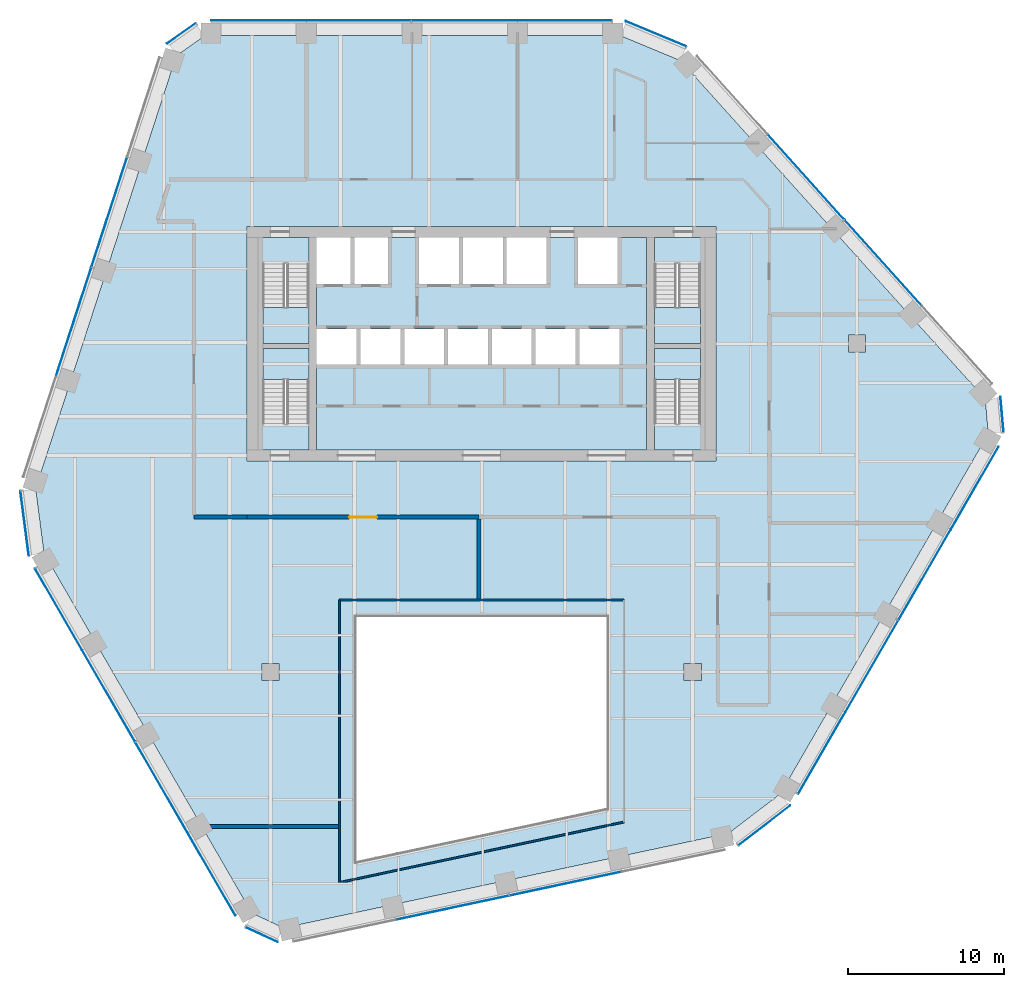
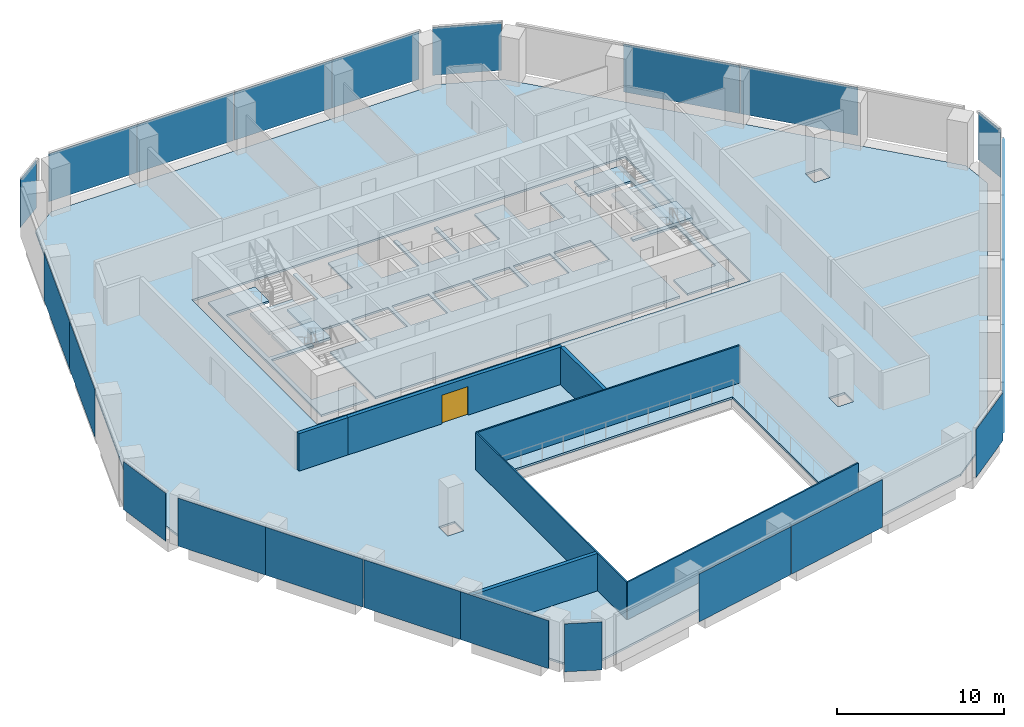
# One storey, part 10 of 16: 24 plates, 8 slabs, 7 walls, 1 door, 1 opening, 16 elements without a shape of their own.
"""IFC4 building model written with IfcOpenShell, lengths in metres."""

from ifc_helpers import new_model, si_unit, direction, frame, frame_2d, origin, origin_2d, place, context, subcontext, project, spatial, polyline, rectangle, outline, extrude, material, layer, layer_set, type_object, element, fill, aggregate, save


model = new_model("IFC4")

# Units and contexts
model_context = context("Model", 3, precision=1e-05, world=origin(), true_north=direction((0.0, 1.0)))
body_context = subcontext(model_context, "Body", "Model", "MODEL_VIEW")
ifc_project = project(units=[si_unit("LENGTHUNIT", "METRE"), si_unit("AREAUNIT", "SQUARE_METRE"), si_unit("VOLUMEUNIT", "CUBIC_METRE"), si_unit("PLANEANGLEUNIT", "RADIAN"), si_unit("MASSUNIT", "GRAM", prefix="KILO")], contexts=[model_context])

# Site, building, storey
site_placement = place(None, origin())
site = spatial("IfcSite", under=ifc_project, at=site_placement, CompositionType="ELEMENT")
building_placement = place(site_placement, origin())
building = spatial("IfcBuilding", under=site, at=building_placement, Name="Isthmus Gate Tower", CompositionType="ELEMENT")
storey_placement = place(building_placement, frame((0.0, 0.0, 196.35009765625)))
storey = spatial("IfcBuildingStorey", under=building, at=storey_placement, Name="L49", CompositionType="ELEMENT", Elevation=196.35009765625)

# Slabs
ifc_material_1 = material(Name="Concrete f'c 40 MPa", Category="concrete")
ifc_layer_1 = layer(ifc_material_1, 0.14990234375)
ifc_layer_set_1 = layer_set([ifc_layer_1], Name="COMPOSITE FLOOR SLAB 150")
slab_type_1 = type_object("IfcSlabType", Name="COMPOSITE FLOOR SLAB 150", PredefinedType="FLOOR", material=ifc_layer_set_1)
slab_1_placement = place(storey_placement, frame((0.0, 0.0, -0.150146484375)))
element("IfcSlab", 1, at=slab_1_placement, inside=storey, type_object=slab_type_1, Name="str-slab-L49-1", PredefinedType="FLOOR", context=body_context, shape_type="SweptSolid", body=[
    extrude(outline(polyline([(12.72802734375, 25.599365234375), (32.21044921875, 3.9619140625), (32.410400390625, 1.736083984375), (19.116455078125, -21.289306640625), (15.8056640625, -23.822509765625), (-12.674072265625, -29.876220703125), (-14.701416015625, -28.936279296875), (-27.995361328125, -5.91064453125), (-28.53369140625, -1.77685546875), (-19.536376953125, 25.9140625), (-17.708740234375, 27.199951171875), (8.87890625, 27.199951171875), (12.72802734375, 25.599365234375)]), holes=[polyline([(-8.0, -10.0), (-8.0, -25.611083984375), (8.0, -22.210205078125), (8.0, -10.0), (-8.0, -10.0)]), polyline([(-14.050048828125, -12.949951171875), (-14.050048828125, -14.050048828125), (-12.949951171875, -14.050048828125), (-12.949951171875, -12.949951171875), (-14.050048828125, -12.949951171875)]), polyline([(14.050048828125, -12.949951171875), (12.949951171875, -12.949951171875), (12.949951171875, -14.050048828125), (14.050048828125, -14.050048828125), (14.050048828125, -12.949951171875)]), polyline([(-15.0, 15.0), (-15.0, 0.0), (15.0, 0.0), (15.0, 15.0), (-15.0, 15.0)]), polyline([(24.550048828125, 6.949951171875), (24.550048828125, 8.050048828125), (23.449951171875, 8.050048828125), (23.449951171875, 6.949951171875), (24.550048828125, 6.949951171875)])]), origin(), (0.0, 0.0, 1.0), 0.150146484375),
])
ifc_material_2 = material(Name="Concrete f'c 40 MPa", Category="concrete")
ifc_layer_2 = layer(ifc_material_2, 0.14990234375)
ifc_layer_set_2 = layer_set([ifc_layer_2], Name="CORE FLOOR SLAB 150")
slab_type_2 = type_object("IfcSlabType", Name="CORE FLOOR SLAB 150", PredefinedType="FLOOR", material=ifc_layer_set_2)
slab_2_placement = place(storey_placement, frame((0.0, 0.0, -0.150146484375)))
element("IfcSlab", 2, at=slab_2_placement, inside=storey, type_object=slab_type_2, Name="L49 core floor", PredefinedType="FLOOR", context=body_context, shape_type="SweptSolid", body=[
    extrude(outline(polyline([(-11.050048828125, 0.699951171875), (-11.050048828125, 2.402099609375), (-14.0, 2.402099609375), (-14.0, 7.199951171875), (-11.050048828125, 7.199951171875), (-11.050048828125, 7.5), (-14.0, 7.5), (-14.0, 12.597900390625), (-11.050048828125, 12.597900390625), (-11.050048828125, 14.300048828125), (-14.300048828125, 14.300048828125), (-14.300048828125, 0.699951171875), (-11.050048828125, 0.699951171875)])), origin(), (0.0, 0.0, 1.0), 0.150146484375),
])
slab_3_placement = place(storey_placement, frame((0.0, 0.0, -0.150146484375)))
element("IfcSlab", 3, at=slab_3_placement, inside=storey, type_object=slab_type_2, Name="L49 core floor", PredefinedType="FLOOR", context=body_context, shape_type="SweptSolid", body=[
    extrude(outline(polyline([(10.550048828125, 14.300048828125), (8.699951171875, 14.300048828125), (8.699951171875, 11.300048828125), (6.14990234375, 11.300048828125), (6.14990234375, 14.300048828125), (4.14990234375, 14.300048828125), (4.14990234375, 11.300048828125), (1.60009765625, 11.300048828125), (1.60009765625, 14.300048828125), (1.35009765625, 14.300048828125), (1.35009765625, 11.300048828125), (-1.199951171875, 11.300048828125), (-1.199951171875, 14.300048828125), (-1.449951171875, 14.300048828125), (-1.449951171875, 11.300048828125), (-4.0, 11.300048828125), (-4.0, 14.300048828125), (-6.0, 14.300048828125), (-6.0, 11.300048828125), (-8.14990234375, 11.300048828125), (-8.14990234375, 14.300048828125), (-8.39990234375, 14.300048828125), (-8.39990234375, 11.300048828125), (-10.550048828125, 11.300048828125), (-10.550048828125, 8.449951171875), (-8.0, 8.449951171875), (-8.0, 6.14990234375), (-10.550048828125, 6.14990234375), (-10.550048828125, 0.699951171875), (10.550048828125, 0.699951171875), (10.550048828125, 14.300048828125)]), holes=[polyline([(-5.199951171875, 8.449951171875), (-5.199951171875, 6.14990234375), (-7.75, 6.14990234375), (-7.75, 8.449951171875), (-5.199951171875, 8.449951171875)]), polyline([(-2.39990234375, 8.449951171875), (-2.39990234375, 6.14990234375), (-4.949951171875, 6.14990234375), (-4.949951171875, 8.449951171875), (-2.39990234375, 8.449951171875)]), polyline([(0.39990234375, 8.449951171875), (0.39990234375, 6.14990234375), (-2.14990234375, 6.14990234375), (-2.14990234375, 8.449951171875), (0.39990234375, 8.449951171875)]), polyline([(3.199951171875, 8.449951171875), (3.199951171875, 6.14990234375), (0.64990234375, 6.14990234375), (0.64990234375, 8.449951171875), (3.199951171875, 8.449951171875)]), polyline([(6.0, 8.449951171875), (6.0, 6.14990234375), (3.449951171875, 6.14990234375), (3.449951171875, 8.449951171875), (6.0, 8.449951171875)]), polyline([(8.800048828125, 8.449951171875), (8.800048828125, 6.14990234375), (6.25, 6.14990234375), (6.25, 8.449951171875), (8.800048828125, 8.449951171875)])]), origin(), (0.0, 0.0, 1.0), 0.150146484375),
])
slab_4_placement = place(storey_placement, frame((0.0, 0.0, -0.150146484375)))
element("IfcSlab", 4, at=slab_4_placement, inside=storey, type_object=slab_type_2, Name="L49 core floor", PredefinedType="FLOOR", context=body_context, shape_type="SweptSolid", body=[
    extrude(outline(polyline([(11.050048828125, 14.300048828125), (11.050048828125, 12.597900390625), (14.0, 12.597900390625), (14.0, 7.5), (11.050048828125, 7.5), (11.050048828125, 7.199951171875), (14.0, 7.199951171875), (14.0, 2.402099609375), (11.050048828125, 2.402099609375), (11.050048828125, 0.699951171875), (14.300048828125, 0.699951171875), (14.300048828125, 14.300048828125), (11.050048828125, 14.300048828125)])), origin(), (0.0, 0.0, 1.0), 0.150146484375),
])

# Curtain wall, plates
ifc_material_3 = material(Name="Aluminium, pale champagne anodised", Category="aluminium")
ifc_layer_3 = layer(ifc_material_3, 0.199951171875)
ifc_layer_set_3 = layer_set([ifc_layer_3], Name="CW-1 UNITISED CURTAIN WALL 200 DEEP")
curtain_wall_type = type_object("IfcCurtainWallType", Name="CW-1 UNITISED CURTAIN WALL 200 DEEP", PredefinedType="NOTDEFINED", material=ifc_layer_set_3)
curtain_wall_1_placement = place(storey_placement, origin())
curtain_wall_1 = element("IfcCurtainWall", 5, at=curtain_wall_1_placement, inside=storey, type_object=curtain_wall_type, Name="CW-1 N L49", PredefinedType="NOTDEFINED")
ifc_material_4 = material(Name="Laminated low-iron glass, pale blue tint", Category="glass")
ifc_layer_4 = layer(ifc_material_4, 0.035888671875)
ifc_layer_set_4 = layer_set([ifc_layer_4], Name="CW-1 CLEAR GLASS LITE 36")
plate_type = type_object("IfcPlateType", Name="CW-1 CLEAR GLASS LITE 36", PredefinedType="CURTAIN_PANEL", material=ifc_layer_set_4)
plate_1_placement = place(storey_placement, frame((5.30859375, 28.181884765625, 0.0), z_axis=(0.0, 0.0, 1.0), x_axis=(-1.0, 0.0, 0.0)))
plate_1 = element("IfcPlate", 6, at=plate_1_placement, type_object=plate_type, Name="CW-1 glass lite", PredefinedType="CURTAIN_PANEL", context=body_context, shape_type="SweptSolid", body=[
    extrude(rectangle(XDim=6.0400390625, YDim=0.035888671875, at=origin_2d()), origin(), (0.0, 0.0, 1.0), 3.510009765625),
])
plate_2_placement = place(storey_placement, frame((-1.086669921875, 28.181884765625, 0.0), z_axis=(0.0, 0.0, 1.0), x_axis=(-1.0, 0.0, 0.0)))
plate_2 = element("IfcPlate", 7, at=plate_2_placement, type_object=plate_type, Name="CW-1 glass lite", PredefinedType="CURTAIN_PANEL", context=body_context, shape_type="SweptSolid", body=[
    extrude(rectangle(XDim=6.750244140625, YDim=0.035888671875, at=origin_2d()), origin(), (0.0, 0.0, 1.0), 3.510009765625),
])
plate_3_placement = place(storey_placement, frame((-7.86669921875, 28.181884765625, 0.0), z_axis=(0.0, 0.0, 1.0), x_axis=(-1.0, 0.0, 0.0)))
plate_3 = element("IfcPlate", 8, at=plate_3_placement, type_object=plate_type, Name="CW-1 glass lite", PredefinedType="CURTAIN_PANEL", context=body_context, shape_type="SweptSolid", body=[
    extrude(rectangle(XDim=6.690185546875, YDim=0.035888671875, at=origin_2d()), origin(), (0.0, 0.0, 1.0), 3.510009765625),
])
plate_4_placement = place(storey_placement, frame((-14.261962890625, 28.181884765625, 0.0), z_axis=(0.0, 0.0, 1.0), x_axis=(-1.0, 0.0, 0.0)))
plate_4 = element("IfcPlate", 9, at=plate_4_placement, type_object=plate_type, Name="CW-1 glass lite", PredefinedType="CURTAIN_PANEL", context=body_context, shape_type="SweptSolid", body=[
    extrude(rectangle(XDim=6.10009765625, YDim=0.035888671875, at=origin_2d()), origin(), (0.0, 0.0, 1.0), 3.510009765625),
])
aggregate(curtain_wall_1, [plate_1, plate_2, plate_3, plate_4])

# Curtain wall, plate
curtain_wall_2_placement = place(storey_placement, origin())
curtain_wall_2 = element("IfcCurtainWall", 10, at=curtain_wall_2_placement, inside=storey, type_object=curtain_wall_type, Name="CW-1 N-NW L49", PredefinedType="NOTDEFINED")
plate_5_placement = place(storey_placement, frame((-19.2119140625, 27.343017578125, 0.0), z_axis=(0.0, 0.0, 1.0), x_axis=(-0.81785959165, -0.57541783805, 0.0)))
plate_5 = element("IfcPlate", 11, at=plate_5_placement, type_object=plate_type, Name="CW-1 glass lite", PredefinedType="CURTAIN_PANEL", context=body_context, shape_type="SweptSolid", body=[
    extrude(rectangle(XDim=2.258544921875, YDim=0.035888671875, at=origin_2d()), origin(), (0.0, 0.0, 1.0), 3.510009765625),
])
aggregate(curtain_wall_2, [plate_5])

# Curtain wall, plates
curtain_wall_3_placement = place(storey_placement, origin())
curtain_wall_3 = element("IfcCurtainWall", 12, at=curtain_wall_3_placement, inside=storey, type_object=curtain_wall_type, Name="CW-1 NW L49", PredefinedType="NOTDEFINED")
plate_6_placement = place(storey_placement, frame((-23.813720703125, 15.927490234375, 0.0), z_axis=(0.0, 0.0, 1.0), x_axis=(-0.309016994375, -0.951056516295, 0.0)))
plate_6 = element("IfcPlate", 13, at=plate_6_placement, type_object=plate_type, Name="CW-1 glass lite", PredefinedType="CURTAIN_PANEL", context=body_context, shape_type="SweptSolid", body=[
    extrude(rectangle(XDim=7.390869140625, YDim=0.035888671875, at=origin_2d()), origin(), (0.0, 0.0, 1.0), 3.510009765625),
])
plate_7_placement = place(storey_placement, frame((-26.10693359375, 8.8701171875, 0.0), z_axis=(0.0, 0.0, 1.0), x_axis=(-0.309016994375, -0.951056516295, 0.0)))
plate_7 = element("IfcPlate", 14, at=plate_7_placement, type_object=plate_type, Name="CW-1 glass lite", PredefinedType="CURTAIN_PANEL", context=body_context, shape_type="SweptSolid", body=[
    extrude(rectangle(XDim=7.330810546875, YDim=0.035888671875, at=origin_2d()), origin(), (0.0, 0.0, 1.0), 3.510009765625),
])
aggregate(curtain_wall_3, [plate_6, plate_7])

# Curtain wall, plate
curtain_wall_4_placement = place(storey_placement, origin())
curtain_wall_4 = element("IfcCurtainWall", 15, at=curtain_wall_4_placement, inside=storey, type_object=curtain_wall_type, Name="CW-1 NW-SW L49", PredefinedType="NOTDEFINED")
plate_8_placement = place(storey_placement, frame((-29.234619140625, -3.9990234375, 0.0), z_axis=(0.0, 0.0, 1.0), x_axis=(0.129164534, -0.991623175988, 0.0)))
plate_8 = element("IfcPlate", 16, at=plate_8_placement, type_object=plate_type, Name="CW-1 glass lite", PredefinedType="CURTAIN_PANEL", context=body_context, shape_type="SweptSolid", body=[
    extrude(rectangle(XDim=4.181396484375, YDim=0.035888671875, at=origin_2d()), origin(), (0.0, 0.0, 1.0), 3.510009765625),
])
aggregate(curtain_wall_4, [plate_8])

# Curtain wall, plates
curtain_wall_5_placement = place(storey_placement, origin())
curtain_wall_5 = element("IfcCurtainWall", 17, at=curtain_wall_5_placement, inside=storey, type_object=curtain_wall_type, Name="CW-1 SW L49", PredefinedType="NOTDEFINED")
plate_9_placement = place(storey_placement, frame((-27.060546875, -9.49365234375, 0.0), z_axis=(0.0, 0.0, 1.0), x_axis=(0.5, -0.866025403784, 0.0)))
plate_9 = element("IfcPlate", 18, at=plate_9_placement, type_object=plate_type, Name="CW-1 glass lite", PredefinedType="CURTAIN_PANEL", context=body_context, shape_type="SweptSolid", body=[
    extrude(rectangle(XDim=6.0400390625, YDim=0.035888671875, at=origin_2d()), origin(), (0.0, 0.0, 1.0), 3.510009765625),
])
plate_10_placement = place(storey_placement, frame((-23.863037109375, -15.031982421875, 0.0), z_axis=(0.0, 0.0, 1.0), x_axis=(0.5, -0.866025403784, 0.0)))
plate_10 = element("IfcPlate", 19, at=plate_10_placement, type_object=plate_type, Name="CW-1 glass lite", PredefinedType="CURTAIN_PANEL", context=body_context, shape_type="SweptSolid", body=[
    extrude(rectangle(XDim=6.750244140625, YDim=0.035888671875, at=origin_2d()), origin(), (0.0, 0.0, 1.0), 3.510009765625),
])
plate_11_placement = place(storey_placement, frame((-20.472900390625, -20.90380859375, 0.0), z_axis=(0.0, 0.0, 1.0), x_axis=(0.5, -0.866025403784, 0.0)))
plate_11 = element("IfcPlate", 20, at=plate_11_placement, type_object=plate_type, Name="CW-1 glass lite", PredefinedType="CURTAIN_PANEL", context=body_context, shape_type="SweptSolid", body=[
    extrude(rectangle(XDim=6.690185546875, YDim=0.035888671875, at=origin_2d()), origin(), (0.0, 0.0, 1.0), 3.510009765625),
])
plate_12_placement = place(storey_placement, frame((-17.275390625, -26.442138671875, 0.0), z_axis=(0.0, 0.0, 1.0), x_axis=(0.5, -0.866025403784, 0.0)))
plate_12 = element("IfcPlate", 21, at=plate_12_placement, type_object=plate_type, Name="CW-1 glass lite", PredefinedType="CURTAIN_PANEL", context=body_context, shape_type="SweptSolid", body=[
    extrude(rectangle(XDim=6.10009765625, YDim=0.035888671875, at=origin_2d()), origin(), (0.0, 0.0, 1.0), 3.510009765625),
])
aggregate(curtain_wall_5, [plate_9, plate_10, plate_11, plate_12])

# Curtain wall, plate
curtain_wall_6_placement = place(storey_placement, origin())
curtain_wall_6 = element("IfcCurtainWall", 22, at=curtain_wall_6_placement, inside=storey, type_object=curtain_wall_type, Name="CW-1 SW-S L49", PredefinedType="NOTDEFINED")
plate_13_placement = place(storey_placement, frame((-14.07373046875, -30.3095703125, 0.0), z_axis=(0.0, 0.0, 1.0), x_axis=(0.907256261367, -0.420578264073, 0.0)))
plate_13 = element("IfcPlate", 23, at=plate_13_placement, type_object=plate_type, Name="CW-1 glass lite", PredefinedType="CURTAIN_PANEL", context=body_context, shape_type="SweptSolid", body=[
    extrude(rectangle(XDim=2.258544921875, YDim=0.035888671875, at=origin_2d()), origin(), (0.0, 0.0, 1.0), 3.510009765625),
])
aggregate(curtain_wall_6, [plate_13])

# Curtain wall, plates
curtain_wall_7_placement = place(storey_placement, origin())
curtain_wall_7 = element("IfcCurtainWall", 24, at=curtain_wall_7_placement, inside=storey, type_object=curtain_wall_type, Name="CW-1 S L49", PredefinedType="NOTDEFINED")
plate_14_placement = place(storey_placement, frame((-1.88671875, -28.587158203125, 0.0), z_axis=(0.0, 0.0, 1.0), x_axis=(0.978147600734, 0.207911690818, 0.0)))
plate_14 = element("IfcPlate", 25, at=plate_14_placement, type_object=plate_type, Name="CW-1 glass lite", PredefinedType="CURTAIN_PANEL", context=body_context, shape_type="SweptSolid", body=[
    extrude(rectangle(XDim=7.390869140625, YDim=0.035888671875, at=origin_2d()), origin(), (0.0, 0.0, 1.0), 3.510009765625),
])
plate_15_placement = place(storey_placement, frame((5.371826171875, -27.044189453125, 0.0), z_axis=(0.0, 0.0, 1.0), x_axis=(0.978147600734, 0.207911690818, 0.0)))
plate_15 = element("IfcPlate", 26, at=plate_15_placement, type_object=plate_type, Name="CW-1 glass lite", PredefinedType="CURTAIN_PANEL", context=body_context, shape_type="SweptSolid", body=[
    extrude(rectangle(XDim=7.330810546875, YDim=0.035888671875, at=origin_2d()), origin(), (0.0, 0.0, 1.0), 3.510009765625),
])
aggregate(curtain_wall_7, [plate_14, plate_15])

# Curtain wall, plate
curtain_wall_8_placement = place(storey_placement, origin())
curtain_wall_8 = element("IfcCurtainWall", 27, at=curtain_wall_8_placement, inside=storey, type_object=curtain_wall_type, Name="CW-1 S-SE L49", PredefinedType="NOTDEFINED")
plate_16_placement = place(storey_placement, frame((18.08056640625, -23.318359375, 0.0), z_axis=(0.0, 0.0, 1.0), x_axis=(0.794188594387, 0.607671355706, 0.0)))
plate_16 = element("IfcPlate", 28, at=plate_16_placement, type_object=plate_type, Name="CW-1 glass lite", PredefinedType="CURTAIN_PANEL", context=body_context, shape_type="SweptSolid", body=[
    extrude(rectangle(XDim=4.181396484375, YDim=0.035888671875, at=origin_2d()), origin(), (0.0, 0.0, 1.0), 3.510009765625),
])
aggregate(curtain_wall_8, [plate_16])

# Curtain wall, plates
curtain_wall_9_placement = place(storey_placement, origin())
curtain_wall_9 = element("IfcCurtainWall", 29, at=curtain_wall_9_placement, inside=storey, type_object=curtain_wall_type, Name="CW-1 SE L49", PredefinedType="NOTDEFINED")
plate_17_placement = place(storey_placement, frame((21.752197265625, -18.688232421875, 0.0), z_axis=(0.0, 0.0, 1.0), x_axis=(0.5, 0.866025403784, 0.0)))
plate_17 = element("IfcPlate", 30, at=plate_17_placement, type_object=plate_type, Name="CW-1 glass lite", PredefinedType="CURTAIN_PANEL", context=body_context, shape_type="SweptSolid", body=[
    extrude(rectangle(XDim=6.0400390625, YDim=0.035888671875, at=origin_2d()), origin(), (0.0, 0.0, 1.0), 3.510009765625),
])
plate_18_placement = place(storey_placement, frame((24.94970703125, -13.14990234375, 0.0), z_axis=(0.0, 0.0, 1.0), x_axis=(0.5, 0.866025403784, 0.0)))
plate_18 = element("IfcPlate", 31, at=plate_18_placement, type_object=plate_type, Name="CW-1 glass lite", PredefinedType="CURTAIN_PANEL", context=body_context, shape_type="SweptSolid", body=[
    extrude(rectangle(XDim=6.750244140625, YDim=0.035888671875, at=origin_2d()), origin(), (0.0, 0.0, 1.0), 3.510009765625),
])
plate_19_placement = place(storey_placement, frame((28.339599609375, -7.278076171875, 0.0), z_axis=(0.0, 0.0, 1.0), x_axis=(0.5, 0.866025403784, 0.0)))
plate_19 = element("IfcPlate", 32, at=plate_19_placement, type_object=plate_type, Name="CW-1 glass lite", PredefinedType="CURTAIN_PANEL", context=body_context, shape_type="SweptSolid", body=[
    extrude(rectangle(XDim=6.690185546875, YDim=0.035888671875, at=origin_2d()), origin(), (0.0, 0.0, 1.0), 3.510009765625),
])
plate_20_placement = place(storey_placement, frame((31.537353515625, -1.73974609375, 0.0), z_axis=(0.0, 0.0, 1.0), x_axis=(0.5, 0.866025403784, 0.0)))
plate_20 = element("IfcPlate", 33, at=plate_20_placement, type_object=plate_type, Name="CW-1 glass lite", PredefinedType="CURTAIN_PANEL", context=body_context, shape_type="SweptSolid", body=[
    extrude(rectangle(XDim=6.10009765625, YDim=0.035888671875, at=origin_2d()), origin(), (0.0, 0.0, 1.0), 3.510009765625),
])
aggregate(curtain_wall_9, [plate_17, plate_18, plate_19, plate_20])

# Curtain wall, plate
curtain_wall_10_placement = place(storey_placement, origin())
curtain_wall_10 = element("IfcCurtainWall", 34, at=curtain_wall_10_placement, inside=storey, type_object=curtain_wall_type, Name="CW-1 SE-NE L49", PredefinedType="NOTDEFINED")
plate_21_placement = place(storey_placement, frame((33.285888671875, 2.966552734375, 0.0), z_axis=(0.0, 0.0, 1.0), x_axis=(-0.089396669717, 0.995996102123, 0.0)))
plate_21 = element("IfcPlate", 35, at=plate_21_placement, type_object=plate_type, Name="CW-1 glass lite", PredefinedType="CURTAIN_PANEL", context=body_context, shape_type="SweptSolid", body=[
    extrude(rectangle(XDim=2.258544921875, YDim=0.035888671875, at=origin_2d()), origin(), (0.0, 0.0, 1.0), 3.510009765625),
])
aggregate(curtain_wall_10, [plate_21])

# Curtain wall, plates
curtain_wall_11_placement = place(storey_placement, origin())
curtain_wall_11 = element("IfcCurtainWall", 36, at=curtain_wall_11_placement, inside=storey, type_object=curtain_wall_type, Name="CW-1 NE L49", PredefinedType="NOTDEFINED")
plate_22_placement = place(storey_placement, frame((25.70068359375, 12.659423828125, 0.0), z_axis=(0.0, 0.0, 1.0), x_axis=(-0.669130606359, 0.743144825477, 0.0)))
plate_22 = element("IfcPlate", 37, at=plate_22_placement, type_object=plate_type, Name="CW-1 glass lite", PredefinedType="CURTAIN_PANEL", context=body_context, shape_type="SweptSolid", body=[
    extrude(rectangle(XDim=7.390869140625, YDim=0.035888671875, at=origin_2d()), origin(), (0.0, 0.0, 1.0), 3.510009765625),
])
plate_23_placement = place(storey_placement, frame((20.735107421875, 18.17431640625, 0.0), z_axis=(0.0, 0.0, 1.0), x_axis=(-0.669130606359, 0.743144825477, 0.0)))
plate_23 = element("IfcPlate", 38, at=plate_23_placement, type_object=plate_type, Name="CW-1 glass lite", PredefinedType="CURTAIN_PANEL", context=body_context, shape_type="SweptSolid", body=[
    extrude(rectangle(XDim=7.330810546875, YDim=0.035888671875, at=origin_2d()), origin(), (0.0, 0.0, 1.0), 3.510009765625),
])
aggregate(curtain_wall_11, [plate_22, plate_23])

# Curtain wall, plate
curtain_wall_12_placement = place(storey_placement, origin())
curtain_wall_12 = element("IfcCurtainWall", 39, at=curtain_wall_12_placement, inside=storey, type_object=curtain_wall_type, Name="CW-1 NE-N L49", PredefinedType="NOTDEFINED")
plate_24_placement = place(storey_placement, frame((11.154052734375, 27.3173828125, 0.0), z_axis=(0.0, 0.0, 1.0), x_axis=(-0.923353128387, 0.383951820282, 0.0)))
plate_24 = element("IfcPlate", 40, at=plate_24_placement, type_object=plate_type, Name="CW-1 glass lite", PredefinedType="CURTAIN_PANEL", context=body_context, shape_type="SweptSolid", body=[
    extrude(rectangle(XDim=4.181396484375, YDim=0.035888671875, at=origin_2d()), origin(), (0.0, 0.0, 1.0), 3.510009765625),
])
aggregate(curtain_wall_12, [plate_24])

# Stair, slab
ifc_material_5 = material(Name="Concrete f'c 40 MPa", Category="concrete")
stair_type = type_object("IfcStairType", Name="CORE STAIR 22 RISERS", PredefinedType="HALF_TURN_STAIR", material=ifc_material_5)
stair_1_placement = place(storey_placement, origin())
stair_1 = element("IfcStair", 41, at=stair_1_placement, inside=storey, type_object=stair_type, Name="L49 Exit Stair 1", PredefinedType="HALF_TURN_STAIR")
ifc_material_6 = material(Name="Concrete f'c 40 MPa", Category="concrete")
ifc_layer_5 = layer(ifc_material_6, 0.199951171875)
ifc_layer_set_5 = layer_set([ifc_layer_5])
slab_type_3 = type_object("IfcSlabType", Name="STAIR LANDING RC 200", PredefinedType="LANDING", material=ifc_layer_set_5)
slab_5_placement = place(storey_placement, frame((0.0, 0.0, 1.625)))
slab_5 = element("IfcSlab", 42, at=slab_5_placement, type_object=slab_type_3, Name="ST1 landing 1", PredefinedType="LANDING", context=body_context, shape_type="SweptSolid", body=[
    extrude(outline(polyline([(-14.0, 9.800048828125), (-14.0, 7.5), (-11.050048828125, 7.5), (-11.050048828125, 9.800048828125), (-14.0, 9.800048828125)])), origin(), (0.0, 0.0, 1.0), 0.199951171875),
])
aggregate(stair_1, [slab_5])

stair_2_placement = place(storey_placement, origin())
stair_2 = element("IfcStair", 43, at=stair_2_placement, inside=storey, type_object=stair_type, Name="L49 Exit Stair 2", PredefinedType="HALF_TURN_STAIR")
slab_6_placement = place(storey_placement, frame((0.0, 0.0, 1.625)))
slab_6 = element("IfcSlab", 44, at=slab_6_placement, type_object=slab_type_3, Name="ST2 landing 1", PredefinedType="LANDING", context=body_context, shape_type="SweptSolid", body=[
    extrude(outline(polyline([(11.050048828125, 9.800048828125), (11.050048828125, 7.5), (14.0, 7.5), (14.0, 9.800048828125), (11.050048828125, 9.800048828125)])), origin(), (0.0, 0.0, 1.0), 0.199951171875),
])
aggregate(stair_2, [slab_6])

stair_3_placement = place(storey_placement, origin())
stair_3 = element("IfcStair", 45, at=stair_3_placement, inside=storey, type_object=stair_type, Name="L49 Exit Stair 7", PredefinedType="HALF_TURN_STAIR")
slab_7_placement = place(storey_placement, frame((0.0, 0.0, 1.625)))
slab_7 = element("IfcSlab", 46, at=slab_7_placement, type_object=slab_type_3, Name="ST7 landing 1", PredefinedType="LANDING", context=body_context, shape_type="SweptSolid", body=[
    extrude(outline(polyline([(-11.050048828125, 5.199951171875), (-11.050048828125, 7.199951171875), (-14.0, 7.199951171875), (-14.0, 5.199951171875), (-11.050048828125, 5.199951171875)])), origin(), (0.0, 0.0, 1.0), 0.199951171875),
])
aggregate(stair_3, [slab_7])

stair_4_placement = place(storey_placement, origin())
stair_4 = element("IfcStair", 47, at=stair_4_placement, inside=storey, type_object=stair_type, Name="L49 Exit Stair 8", PredefinedType="HALF_TURN_STAIR")
slab_8_placement = place(storey_placement, frame((0.0, 0.0, 1.625)))
slab_8 = element("IfcSlab", 48, at=slab_8_placement, type_object=slab_type_3, Name="ST8 landing 1", PredefinedType="LANDING", context=body_context, shape_type="SweptSolid", body=[
    extrude(outline(polyline([(14.0, 5.199951171875), (14.0, 7.199951171875), (11.050048828125, 7.199951171875), (11.050048828125, 5.199951171875), (14.0, 5.199951171875)])), origin(), (0.0, 0.0, 1.0), 0.199951171875),
])
aggregate(stair_4, [slab_8])

# Wall, opening, door
ifc_material_7 = material(Name="Double-leaf acoustic stud wall, fire-rated", Category="gypsum")
ifc_layer_6 = layer(ifc_material_7, 0.25)
ifc_layer_set_6 = layer_set([ifc_layer_6], Name="ACOUSTIC WALL 250 60 MIN")
wall_type_1 = type_object("IfcWallType", Name="ACOUSTIC WALL 250 60 MIN", PredefinedType="PARTITIONING", material=ifc_layer_set_6)
wall_1_placement = place(storey_placement, frame((-0.166015625, -3.60009765625, 0.0), z_axis=(0.0, 0.0, 1.0), x_axis=(-1.0, 0.0, 0.0)))
wall_1 = element("IfcWall", 49, at=wall_1_placement, inside=storey, type_object=wall_type_1, Name="L49 Acoustic Wall 250 60 Min", PredefinedType="PARTITIONING", context=body_context, shape_type="SweptSolid", body=[
    extrude(rectangle(XDim=14.833984375, YDim=0.25, at=frame_2d((7.4169921875, 0.0))), origin(), (0.0, 0.0, 1.0), 2.7412109375),
])
opening_placement = place(wall_1_placement, frame((6.51708984375, 0.0, 0.0)))
opening = element("IfcOpeningElement", 50, at=opening_placement, cuts=wall_1, Name="Opening DT-T4C-07", PredefinedType="OPENING", context=body_context, shape_type="SweptSolid", body=[
    extrude(rectangle(XDim=1.800048828125, YDim=2.10009765625, at=frame_2d((0.89990234375, 1.050048828125))), frame((0.0, 0.135009765625, 0.0), z_axis=(0.0, -1.0, 0.0), x_axis=(1.0, 0.0, 0.0)), (0.0, 0.0, 1.0), 0.27001953125),
])
ifc_material_8 = material(Name="Solid core timber door leaf, fire-rated", Category="wood")
door_type = type_object("IfcDoorType", Name="FIRE DOOR ACOUSTIC ROOM 1800 X 2100 60 MIN", OperationType="DOUBLE_DOOR_DOUBLE_SWING", PredefinedType="DOOR", material=ifc_material_8)
door_placement = place(opening_placement, origin())
door = element("IfcDoor", 51, at=door_placement, inside=storey, type_object=door_type, Name="L49 room door", OperationType="DOUBLE_DOOR_DOUBLE_SWING", OverallHeight=2.10009765625, OverallWidth=1.800048828125, PredefinedType="DOOR", context=body_context, shape_type="SweptSolid", body=[
    extrude(rectangle(XDim=1.800048828125, YDim=2.10009765625, at=frame_2d((0.89990234375, 1.050048828125))), frame((0.0, 0.02490234375, 0.0), z_axis=(0.0, -1.0, 0.0), x_axis=(1.0, 0.0, 0.0)), (0.0, 0.0, 1.0), 0.050048828125),
])
fill(opening, door)

# Walls
wall_2_placement = place(storey_placement, frame((-15.0, -3.60009765625, 0.0), z_axis=(0.0, 0.0, 1.0), x_axis=(-1.0, 0.0, 0.0)))
element("IfcWall", 52, at=wall_2_placement, inside=storey, type_object=wall_type_1, Name="L49 Acoustic Wall 250 60 Min", PredefinedType="PARTITIONING", context=body_context, shape_type="SweptSolid", body=[
    extrude(rectangle(XDim=3.39990234375, YDim=0.25, at=frame_2d((1.699951171875, 0.0))), origin(), (0.0, 0.0, 1.0), 2.7412109375),
])
wall_3_placement = place(storey_placement, frame((-18.137939453125, -23.385009765625, 0.0), z_axis=(0.0, 0.0, 1.0), x_axis=(1.0, 0.0, 0.0)))
element("IfcWall", 53, at=wall_3_placement, inside=storey, type_object=wall_type_1, Name="L49 Acoustic Wall 250 60 Min", PredefinedType="PARTITIONING", context=body_context, shape_type="SweptSolid", body=[
    extrude(rectangle(XDim=8.988037109375, YDim=0.25, at=frame_2d((4.494140625, 0.0))), origin(), (0.0, 0.0, 1.0), 2.7412109375),
])
wall_4_placement = place(storey_placement, frame((-0.166015625, -8.85009765625, 0.0), z_axis=(0.0, 0.0, 1.0), x_axis=(0.0, 1.0, 0.0)))
element("IfcWall", 54, at=wall_4_placement, inside=storey, type_object=wall_type_1, Name="L49 Acoustic Wall 250 60 Min", PredefinedType="PARTITIONING", context=body_context, shape_type="SweptSolid", body=[
    extrude(rectangle(XDim=5.125, YDim=0.25, at=frame_2d((2.5625, 0.0))), origin(), (0.0, 0.0, 1.0), 2.7412109375),
])
ifc_material_9 = material(Name="Fire-rated laminated glass in steel frame", Category="steel")
ifc_layer_7 = layer(ifc_material_9, 0.10009765625)
ifc_layer_set_7 = layer_set([ifc_layer_7], Name="ATRIUM SCREEN GLAZED WALL 100 120 MIN")
wall_type_2 = type_object("IfcWallType", Name="ATRIUM SCREEN GLAZED WALL 100 120 MIN", PredefinedType="PARTITIONING", material=ifc_layer_set_7)
wall_5_placement = place(storey_placement, frame((-9.10009765625, -8.89990234375, 0.0), z_axis=(0.0, 0.0, 1.0), x_axis=(1.0, 0.0, 0.0)))
element("IfcWall", 55, at=wall_5_placement, inside=storey, type_object=wall_type_2, Name="L49 atrium screen", PredefinedType="PARTITIONING", context=body_context, shape_type="SweptSolid", body=[
    extrude(rectangle(XDim=18.2001953125, YDim=0.10009765625, at=frame_2d((9.10009765625, 0.0))), origin(), (0.0, 0.0, 1.0), 2.7412109375),
])
wall_6_placement = place(storey_placement, frame((9.10009765625, -23.100830078125, 0.0), z_axis=(0.0, 0.0, 1.0), x_axis=(-0.978146710971, -0.207915876778, 0.0)))
element("IfcWall", 56, at=wall_6_placement, inside=storey, type_object=wall_type_2, Name="L49 atrium screen", PredefinedType="PARTITIONING", context=body_context, shape_type="SweptSolid", body=[
    extrude(rectangle(XDim=18.60693359375, YDim=0.10009765625, at=frame_2d((9.303466796875, 0.0))), origin(), (0.0, 0.0, 1.0), 2.7412109375),
])
wall_7_placement = place(storey_placement, frame((-9.10009765625, -26.969482421875, 0.0), z_axis=(0.0, 0.0, 1.0), x_axis=(0.0, 1.0, 0.0)))
element("IfcWall", 57, at=wall_7_placement, inside=storey, type_object=wall_type_2, Name="L49 atrium screen", PredefinedType="PARTITIONING", context=body_context, shape_type="SweptSolid", body=[
    extrude(rectangle(XDim=18.069580078125, YDim=0.10009765625, at=frame_2d((9.03466796875, 0.0))), origin(), (0.0, 0.0, 1.0), 2.7412109375),
])

save(model, "model.ifc")
